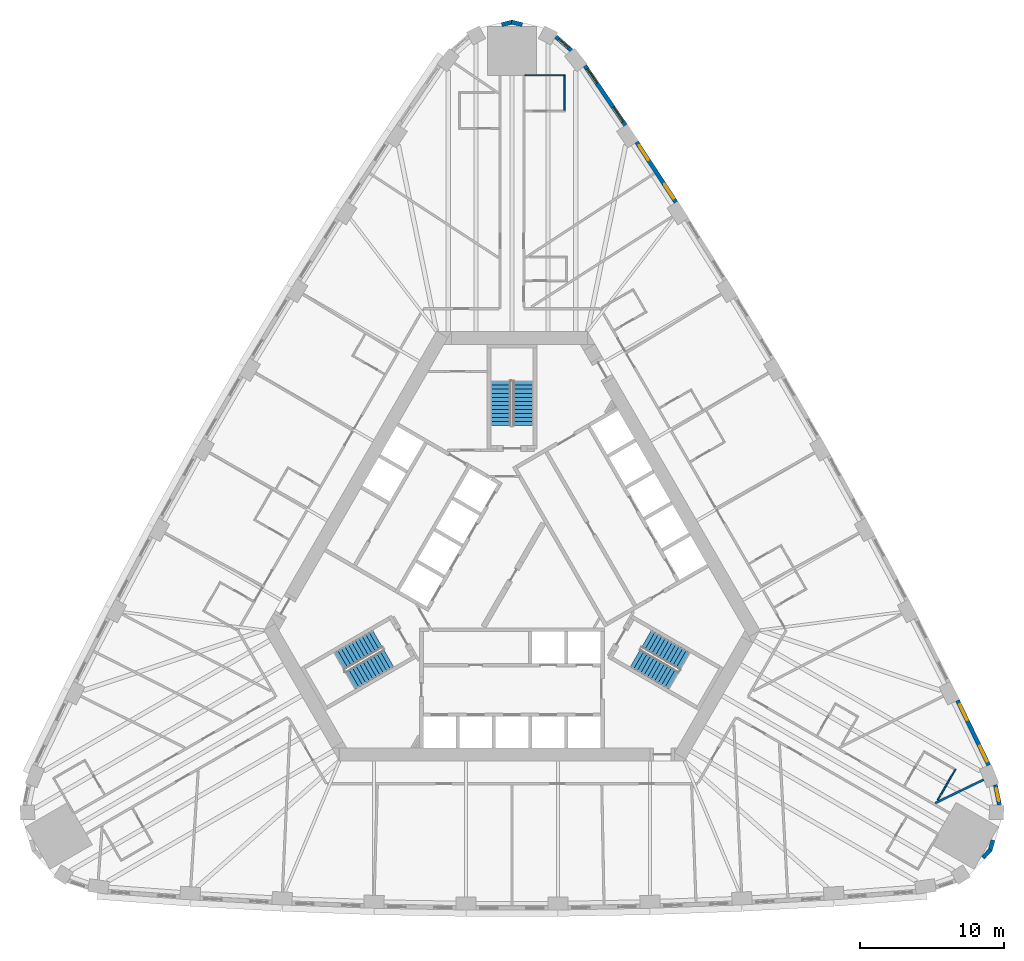
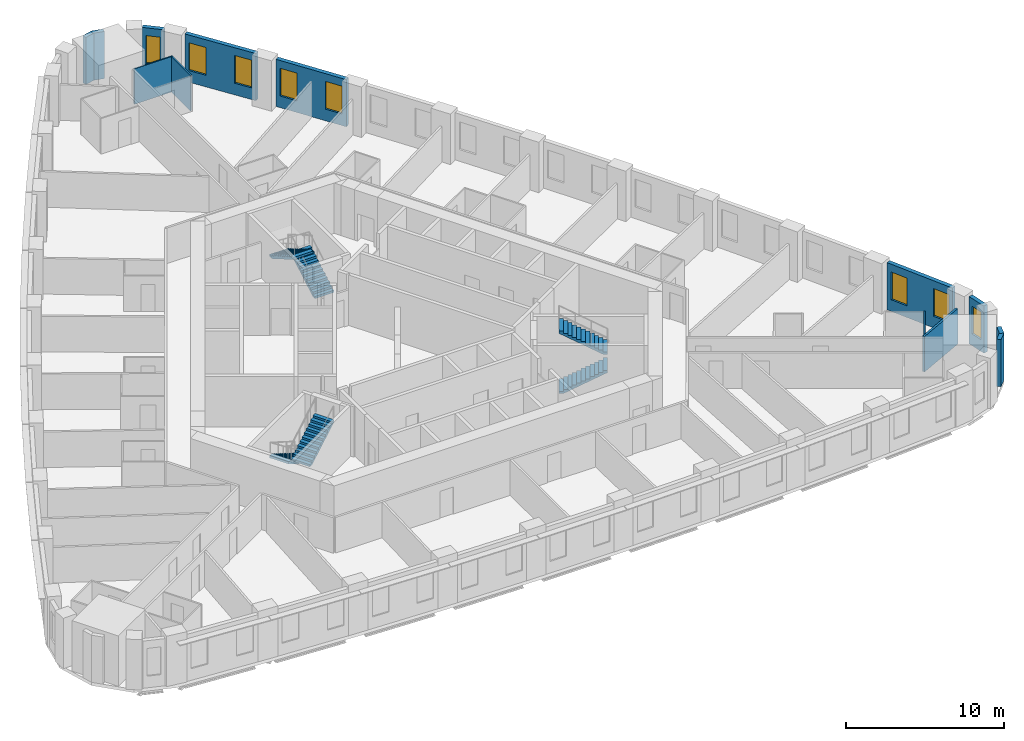
# One storey, part 11 of 12: 13 walls, 8 windows, 6 stair flights, 8 openings, 3 elements without a shape of their own.
"""IFC4 building model written with IfcOpenShell, lengths in metres."""

from ifc_helpers import new_model, si_unit, direction, frame, frame_2d, origin, place, context, subcontext, project, spatial, polyline, rectangle, outline, extrude, material, layer, layer_set, type_object, element, fill, aggregate, save


model = new_model("IFC4")

# Units and contexts
model_context = context("Model", 3, precision=1e-05, world=origin(), true_north=direction((0.0, 1.0)))
body_context = subcontext(model_context, "Body", "Model", "MODEL_VIEW")
ifc_project = project(units=[si_unit("LENGTHUNIT", "METRE"), si_unit("AREAUNIT", "SQUARE_METRE"), si_unit("VOLUMEUNIT", "CUBIC_METRE"), si_unit("PLANEANGLEUNIT", "RADIAN"), si_unit("MASSUNIT", "GRAM", prefix="KILO")], contexts=[model_context])

# Site, building, storey
site_placement = place(None, origin())
site = spatial("IfcSite", under=ifc_project, at=site_placement, CompositionType="ELEMENT")
building_placement = place(site_placement, origin())
building = spatial("IfcBuilding", under=site, at=building_placement, Name="Mestral Congress Tower", CompositionType="ELEMENT")
storey_placement = place(building_placement, frame((0.0, 0.0, 39.300048828125)))
storey = spatial("IfcBuildingStorey", under=building, at=storey_placement, Name="L08", CompositionType="ELEMENT", Elevation=39.300048828125)

# Walls
ifc_material_1 = material(Name="Precast concrete C40/50 with limestone facing", Category="masonry")
ifc_layer_1 = layer(ifc_material_1, 0.2900390625)
ifc_layer_set_1 = layer_set([ifc_layer_1], Name="Precast concrete C40/50 with limestone facing")
wall_type_1 = type_object("IfcWallType", Name="Facade stone wall 290", PredefinedType="SOLIDWALL", material=ifc_layer_set_1)
for number, where, z_axis, x_axis, name in (
    (1, (32.762451171875, -19.732177734375, 0.0), (0.0, 0.0, 1.0), (0.692252359589, 0.721655506903, 0.0), "Facade wall K0-1"),
    (2, (33.256591796875, -19.24072265625, 0.0), (0.0, 0.0, 1.0), (0.278981320915, 0.960296528464, 0.0), "Facade wall K0-2"),
):
    element("IfcWall", number, at=place(storey_placement, frame(where, z_axis=z_axis, x_axis=x_axis)), inside=storey, type_object=wall_type_1, Name=name, PredefinedType="SOLIDWALL", context=body_context, shape_type="SweptSolid", body=[
        extrude(rectangle(XDim=0.763916015625, YDim=0.2900390625, at=frame_2d((0.3818359375, 0.0))), origin(), (0.0, 0.0, 1.0), 3.64990234375),
    ])

# Wall, opening, window
wall_1_placement = place(storey_placement, frame((33.91748046875, -16.043701171875, 0.0), z_axis=(0.0, 0.0, 1.0), x_axis=(-0.198106888228, 0.980180422594, 0.0)))
wall_1 = element("IfcWall", 3, at=wall_1_placement, inside=storey, type_object=wall_type_1, Name="Facade wall K0-3", PredefinedType="SOLIDWALL", context=body_context, shape_type="SweptSolid", body=[
    extrude(rectangle(XDim=1.414794921875, YDim=0.2900390625, at=frame_2d((0.70751953125, 0.0))), origin(), (0.0, 0.0, 1.0), 3.64990234375),
])
opening_1_placement = place(wall_1_placement, frame((0.25732421875, 0.0, 0.89990234375)))
opening_1 = element("IfcOpeningElement", 4, at=opening_1_placement, cuts=wall_1, Name="Opening W3", PredefinedType="OPENING", context=body_context, shape_type="SweptSolid", body=[
    extrude(rectangle(XDim=0.89990234375, YDim=2.14990234375, at=frame_2d((0.449951171875, 1.074951171875))), frame((0.0, 0.155029296875, 0.0), z_axis=(0.0, -1.0, 0.0), x_axis=(1.0, 0.0, 0.0)), (0.0, 0.0, 1.0), 0.31005859375),
])
ifc_material_2 = material(Name="Clear low-emissivity double glazing", Category="glass")
window_type_1 = type_object("IfcWindowType", Name="Facade punched window 900 x 2150 sill 900", PartitioningType="SINGLE_PANEL", PredefinedType="WINDOW", material=ifc_material_2)
window_1_placement = place(opening_1_placement, origin())
window_1 = element("IfcWindow", 5, at=window_1_placement, inside=storey, type_object=window_type_1, Name="Window K0-3", OverallHeight=2.14990234375, OverallWidth=0.89990234375, PartitioningType="SINGLE_PANEL", PredefinedType="WINDOW", context=body_context, shape_type="SweptSolid", body=[
    extrude(rectangle(XDim=0.89990234375, YDim=2.14990234375, at=frame_2d((0.449951171875, 1.074951171875))), frame((0.0, 0.01513671875, 0.0), z_axis=(0.0, -1.0, 0.0), x_axis=(1.0, 0.0, 0.0)), (0.0, 0.0, 1.0), 0.06005859375),
])
fill(opening_1, window_1)

# Wall, openings, windows
wall_2_placement = place(storey_placement, frame((33.176025390625, -13.290283203125, 0.0), z_axis=(0.0, 0.0, 1.0), x_axis=(-0.434664499056, 0.900592456808, 0.0)))
wall_2 = element("IfcWall", 6, at=wall_2_placement, inside=storey, type_object=wall_type_1, Name="Facade wall F1-00", PredefinedType="SOLIDWALL", context=body_context, shape_type="SweptSolid", body=[
    extrude(rectangle(XDim=5.005615234375, YDim=0.2900390625, at=frame_2d((2.5029296875, 0.0))), origin(), (0.0, 0.0, 1.0), 3.64990234375),
])
opening_2_placement = place(wall_2_placement, frame((0.265380859375, 0.0, 0.89990234375)))
opening_2 = element("IfcOpeningElement", 7, at=opening_2_placement, cuts=wall_2, Name="Opening W1", PredefinedType="OPENING", context=body_context, shape_type="SweptSolid", body=[
    extrude(rectangle(XDim=1.199951171875, YDim=2.14990234375, at=frame_2d((0.60009765625, 1.074951171875))), frame((0.0, 0.155029296875, 0.0), z_axis=(0.0, -1.0, 0.0), x_axis=(1.0, 0.0, 0.0)), (0.0, 0.0, 1.0), 0.31005859375),
])
opening_3_placement = place(wall_2_placement, frame((3.49560546875, 0.0, 0.89990234375)))
opening_3 = element("IfcOpeningElement", 8, at=opening_3_placement, cuts=wall_2, Name="Opening W1", PredefinedType="OPENING", context=body_context, shape_type="SweptSolid", body=[
    extrude(rectangle(XDim=1.199951171875, YDim=2.14990234375, at=frame_2d((0.60009765625, 1.074951171875))), frame((0.0, 0.155029296875, 0.0), z_axis=(0.0, -1.0, 0.0), x_axis=(1.0, 0.0, 0.0)), (0.0, 0.0, 1.0), 0.31005859375),
])
window_type_2 = type_object("IfcWindowType", Name="Facade punched window 1200 x 2150 sill 900", PartitioningType="DOUBLE_PANEL_VERTICAL", PredefinedType="WINDOW", material=ifc_material_2)
window_2_placement = place(opening_2_placement, origin())
window_2 = element("IfcWindow", 9, at=window_2_placement, inside=storey, type_object=window_type_2, Name="Window F1-00a", OverallHeight=2.14990234375, OverallWidth=1.199951171875, PartitioningType="DOUBLE_PANEL_VERTICAL", PredefinedType="WINDOW", context=body_context, shape_type="SweptSolid", body=[
    extrude(rectangle(XDim=1.199951171875, YDim=2.14990234375, at=frame_2d((0.60009765625, 1.074951171875))), frame((0.0, 0.01513671875, 0.0), z_axis=(0.0, -1.0, 0.0), x_axis=(1.0, 0.0, 0.0)), (0.0, 0.0, 1.0), 0.06005859375),
])
fill(opening_2, window_2)
window_3_placement = place(opening_3_placement, origin())
window_3 = element("IfcWindow", 10, at=window_3_placement, inside=storey, type_object=window_type_2, Name="Window F1-00b", OverallHeight=2.14990234375, OverallWidth=1.199951171875, PartitioningType="DOUBLE_PANEL_VERTICAL", PredefinedType="WINDOW", context=body_context, shape_type="SweptSolid", body=[
    extrude(rectangle(XDim=1.199951171875, YDim=2.14990234375, at=frame_2d((0.60009765625, 1.074951171875))), frame((0.0, 0.01513671875, 0.0), z_axis=(0.0, -1.0, 0.0), x_axis=(1.0, 0.0, 0.0)), (0.0, 0.0, 1.0), 0.06005859375),
])
fill(opening_3, window_3)

wall_3_placement = place(storey_placement, frame((11.41064453125, 25.884033203125, 0.0), z_axis=(0.0, 0.0, 1.0), x_axis=(-0.547204617628, 0.836998868845, 0.0)))
wall_3 = element("IfcWall", 11, at=wall_3_placement, inside=storey, type_object=wall_type_1, Name="Facade wall F1-07", PredefinedType="SOLIDWALL", context=body_context, shape_type="SweptSolid", body=[
    extrude(rectangle(XDim=4.998291015625, YDim=0.2900390625, at=frame_2d((2.4990234375, 0.0))), origin(), (0.0, 0.0, 1.0), 3.64990234375),
])
opening_4_placement = place(wall_3_placement, frame((0.297119140625, 0.0, 0.89990234375)))
opening_4 = element("IfcOpeningElement", 12, at=opening_4_placement, cuts=wall_3, Name="Opening W1", PredefinedType="OPENING", context=body_context, shape_type="SweptSolid", body=[
    extrude(rectangle(XDim=1.199951171875, YDim=2.14990234375, at=frame_2d((0.60009765625, 1.074951171875))), frame((0.0, 0.155029296875, 0.0), z_axis=(0.0, -1.0, 0.0), x_axis=(1.0, 0.0, 0.0)), (0.0, 0.0, 1.0), 0.31005859375),
])
opening_5_placement = place(wall_3_placement, frame((3.501220703125, 0.0, 0.89990234375)))
opening_5 = element("IfcOpeningElement", 13, at=opening_5_placement, cuts=wall_3, Name="Opening W1", PredefinedType="OPENING", context=body_context, shape_type="SweptSolid", body=[
    extrude(rectangle(XDim=1.199951171875, YDim=2.14990234375, at=frame_2d((0.60009765625, 1.074951171875))), frame((0.0, 0.155029296875, 0.0), z_axis=(0.0, -1.0, 0.0), x_axis=(1.0, 0.0, 0.0)), (0.0, 0.0, 1.0), 0.31005859375),
])
window_4_placement = place(opening_4_placement, origin())
window_4 = element("IfcWindow", 14, at=window_4_placement, inside=storey, type_object=window_type_2, Name="Window F1-07a", OverallHeight=2.14990234375, OverallWidth=1.199951171875, PartitioningType="DOUBLE_PANEL_VERTICAL", PredefinedType="WINDOW", context=body_context, shape_type="SweptSolid", body=[
    extrude(rectangle(XDim=1.199951171875, YDim=2.14990234375, at=frame_2d((0.60009765625, 1.074951171875))), frame((0.0, 0.01513671875, 0.0), z_axis=(0.0, -1.0, 0.0), x_axis=(1.0, 0.0, 0.0)), (0.0, 0.0, 1.0), 0.06005859375),
])
fill(opening_4, window_4)
window_5_placement = place(opening_5_placement, origin())
window_5 = element("IfcWindow", 15, at=window_5_placement, inside=storey, type_object=window_type_2, Name="Window F1-07b", OverallHeight=2.14990234375, OverallWidth=1.199951171875, PartitioningType="DOUBLE_PANEL_VERTICAL", PredefinedType="WINDOW", context=body_context, shape_type="SweptSolid", body=[
    extrude(rectangle(XDim=1.199951171875, YDim=2.14990234375, at=frame_2d((0.60009765625, 1.074951171875))), frame((0.0, 0.01513671875, 0.0), z_axis=(0.0, -1.0, 0.0), x_axis=(1.0, 0.0, 0.0)), (0.0, 0.0, 1.0), 0.06005859375),
])
fill(opening_5, window_5)

wall_4_placement = place(storey_placement, frame((7.89453125, 31.23828125, 0.0), z_axis=(0.0, 0.0, 1.0), x_axis=(-0.562610153679, 0.826722332454, 0.0)))
wall_4 = element("IfcWall", 16, at=wall_4_placement, inside=storey, type_object=wall_type_1, Name="Facade wall F1-08", PredefinedType="SOLIDWALL", context=body_context, shape_type="SweptSolid", body=[
    extrude(rectangle(XDim=5.005615234375, YDim=0.2900390625, at=frame_2d((2.5029296875, 0.0))), origin(), (0.0, 0.0, 1.0), 3.64990234375),
])
opening_6_placement = place(wall_4_placement, frame((0.310302734375, 0.0, 0.89990234375)))
opening_6 = element("IfcOpeningElement", 17, at=opening_6_placement, cuts=wall_4, Name="Opening W1", PredefinedType="OPENING", context=body_context, shape_type="SweptSolid", body=[
    extrude(rectangle(XDim=1.199951171875, YDim=2.14990234375, at=frame_2d((0.60009765625, 1.074951171875))), frame((0.0, 0.155029296875, 0.0), z_axis=(0.0, -1.0, 0.0), x_axis=(1.0, 0.0, 0.0)), (0.0, 0.0, 1.0), 0.31005859375),
])
opening_7_placement = place(wall_4_placement, frame((3.54052734375, 0.0, 0.89990234375)))
opening_7 = element("IfcOpeningElement", 18, at=opening_7_placement, cuts=wall_4, Name="Opening W1", PredefinedType="OPENING", context=body_context, shape_type="SweptSolid", body=[
    extrude(rectangle(XDim=1.199951171875, YDim=2.14990234375, at=frame_2d((0.60009765625, 1.074951171875))), frame((0.0, 0.155029296875, 0.0), z_axis=(0.0, -1.0, 0.0), x_axis=(1.0, 0.0, 0.0)), (0.0, 0.0, 1.0), 0.31005859375),
])
window_6_placement = place(opening_6_placement, origin())
window_6 = element("IfcWindow", 19, at=window_6_placement, inside=storey, type_object=window_type_2, Name="Window F1-08a", OverallHeight=2.14990234375, OverallWidth=1.199951171875, PartitioningType="DOUBLE_PANEL_VERTICAL", PredefinedType="WINDOW", context=body_context, shape_type="SweptSolid", body=[
    extrude(rectangle(XDim=1.199951171875, YDim=2.14990234375, at=frame_2d((0.60009765625, 1.074951171875))), frame((0.0, 0.01513671875, 0.0), z_axis=(0.0, -1.0, 0.0), x_axis=(1.0, 0.0, 0.0)), (0.0, 0.0, 1.0), 0.06005859375),
])
fill(opening_6, window_6)
window_7_placement = place(opening_7_placement, origin())
window_7 = element("IfcWindow", 20, at=window_7_placement, inside=storey, type_object=window_type_2, Name="Window F1-08b", OverallHeight=2.14990234375, OverallWidth=1.199951171875, PartitioningType="DOUBLE_PANEL_VERTICAL", PredefinedType="WINDOW", context=body_context, shape_type="SweptSolid", body=[
    extrude(rectangle(XDim=1.199951171875, YDim=2.14990234375, at=frame_2d((0.60009765625, 1.074951171875))), frame((0.0, 0.01513671875, 0.0), z_axis=(0.0, -1.0, 0.0), x_axis=(1.0, 0.0, 0.0)), (0.0, 0.0, 1.0), 0.06005859375),
])
fill(opening_7, window_7)

# Wall, opening, window
wall_5_placement = place(storey_placement, frame((4.12548828125, 36.458984375, 0.0), z_axis=(0.0, 0.0, 1.0), x_axis=(-0.749812680302, 0.661650167731, 0.0)))
wall_5 = element("IfcWall", 21, at=wall_5_placement, inside=storey, type_object=wall_type_1, Name="Facade wall K1-0", PredefinedType="SOLIDWALL", context=body_context, shape_type="SweptSolid", body=[
    extrude(rectangle(XDim=1.4150390625, YDim=0.2900390625, at=frame_2d((0.70751953125, 0.0))), origin(), (0.0, 0.0, 1.0), 3.64990234375),
])
opening_8_placement = place(wall_5_placement, frame((0.257568359375, 0.0, 0.89990234375)))
opening_8 = element("IfcOpeningElement", 22, at=opening_8_placement, cuts=wall_5, Name="Opening W3", PredefinedType="OPENING", context=body_context, shape_type="SweptSolid", body=[
    extrude(rectangle(XDim=0.89990234375, YDim=2.14990234375, at=frame_2d((0.449951171875, 1.074951171875))), frame((0.0, 0.155029296875, 0.0), z_axis=(0.0, -1.0, 0.0), x_axis=(1.0, 0.0, 0.0)), (0.0, 0.0, 1.0), 0.31005859375),
])
window_8_placement = place(opening_8_placement, origin())
window_8 = element("IfcWindow", 23, at=window_8_placement, inside=storey, type_object=window_type_1, Name="Window K1-0", OverallHeight=2.14990234375, OverallWidth=0.89990234375, PartitioningType="SINGLE_PANEL", PredefinedType="WINDOW", context=body_context, shape_type="SweptSolid", body=[
    extrude(rectangle(XDim=0.89990234375, YDim=2.14990234375, at=frame_2d((0.449951171875, 1.074951171875))), frame((0.0, 0.01513671875, 0.0), z_axis=(0.0, -1.0, 0.0), x_axis=(1.0, 0.0, 0.0)), (0.0, 0.0, 1.0), 0.06005859375),
])
fill(opening_8, window_8)

# Walls
for number, where, z_axis, x_axis, name in (
    (24, (0.707275390625, 38.2392578125, 0.0), (0.0, 0.0, 1.0), (-0.971167582305, 0.238397833629, 0.0), "Facade wall K1-1"),
    (25, (0.03466796875, 38.42138671875, 0.0), (0.0, 0.0, 1.0), (-0.971167582305, -0.238397833629, 0.0), "Facade wall K1-2"),
):
    element("IfcWall", number, at=place(storey_placement, frame(where, z_axis=z_axis, x_axis=x_axis)), inside=storey, type_object=wall_type_1, Name=name, PredefinedType="SOLIDWALL", context=body_context, shape_type="SweptSolid", body=[
        extrude(rectangle(XDim=0.763916015625, YDim=0.2900390625, at=frame_2d((0.3818359375, 0.0))), origin(), (0.0, 0.0, 1.0), 3.64990234375),
    ])
ifc_material_3 = material(Name="Gypsum board partition on metal studs with mineral wool", Category="composite")
ifc_layer_2 = layer(ifc_material_3, 0.10009765625)
ifc_layer_set_2 = layer_set([ifc_layer_2], Name="Gypsum board partition on metal studs with mineral wool")
wall_type_2 = type_object("IfcWallType", Name="Hotel partition wall 100", PredefinedType="PARTITIONING", material=ifc_layer_set_2)
wall_6_placement = place(storey_placement, frame((29.619384765625, -15.715087890625, 0.0), z_axis=(0.0, 0.0, 1.0), x_axis=(0.500004234368, 0.866022959057, 0.0)))
element("IfcWall", 26, at=wall_6_placement, inside=storey, type_object=wall_type_2, Name="L08-h-pod10c", PredefinedType="PARTITIONING", context=body_context, shape_type="SweptSolid", body=[
    extrude(rectangle(XDim=2.5, YDim=0.10009765625, at=frame_2d((1.25, 0.0))), origin(), (0.0, 0.0, 1.0), 2.75),
])
wall_7_placement = place(storey_placement, frame((3.64990234375, 32.268798828125, 0.0), z_axis=(0.0, 0.0, 1.0), x_axis=(0.0, 1.0, 0.0)))
element("IfcWall", 27, at=wall_7_placement, inside=storey, type_object=wall_type_2, Name="L08-h-pod18b", PredefinedType="PARTITIONING", context=body_context, shape_type="SweptSolid", body=[
    extrude(rectangle(XDim=2.400146484375, YDim=0.10009765625, at=frame_2d((1.2001953125, 0.0))), origin(), (0.0, 0.0, 1.0), 2.75),
])
wall_8_placement = place(storey_placement, frame((0.89990234375, 34.718994140625, 0.0), z_axis=(0.0, 0.0, 1.0), x_axis=(1.0, 0.0, 0.0)))
element("IfcWall", 28, at=wall_8_placement, inside=storey, type_object=wall_type_2, Name="L08-h-pod18c", PredefinedType="PARTITIONING", context=body_context, shape_type="SweptSolid", body=[
    extrude(rectangle(XDim=2.800048828125, YDim=0.10009765625, at=frame_2d((1.39990234375, 0.0))), origin(), (0.0, 0.0, 1.0), 2.75),
])
ifc_layer_3 = layer(ifc_material_3, 0.14990234375)
ifc_layer_set_3 = layer_set([ifc_layer_3], Name="Gypsum board partition on metal studs with mineral wool")
wall_type_3 = type_object("IfcWallType", Name="Hotel partition wall 150", PredefinedType="PARTITIONING", material=ifc_layer_set_3)
wall_9_placement = place(storey_placement, frame((32.8173828125, -14.29638671875, 0.0), z_axis=(0.0, 0.0, 1.0), x_axis=(-0.900616957918, -0.434613730927, 0.0)))
element("IfcWall", 29, at=wall_9_placement, inside=storey, type_object=wall_type_3, Name="L08-h-pw27", PredefinedType="PARTITIONING", context=body_context, shape_type="SweptSolid", body=[
    extrude(rectangle(XDim=3.7333984375, YDim=0.14990234375, at=frame_2d((1.86669921875, 0.0))), origin(), (0.0, 0.0, 1.0), 2.75),
])

# Stair, stair flights
ifc_material_4 = material(Name="Concrete C60/75", Category="concrete")
stair_type = type_object("IfcStairType", Name="Exit stair 1400", PredefinedType="HALF_TURN_STAIR", material=ifc_material_4)
placement = place(storey_placement, origin())
stair_1 = element("IfcStair", 30, at=placement, inside=storey, type_object=stair_type, Name="L08 ST1", PredefinedType="HALF_TURN_STAIR")
stair_flight_type = type_object("IfcStairFlightType", Name="Exit stair flight 1400", PredefinedType="STRAIGHT", material=ifc_material_4)
stair_flight_1_placement = place(storey_placement, frame((8.575927734375, -5.84619140625, 0.0), z_axis=(0.0, 0.0, 1.0), x_axis=(0.866025403784, -0.5, 0.0)))
stair_flight_1 = element("IfcStairFlight", 31, at=stair_flight_1_placement, type_object=stair_flight_type, Name="ST1 flight 1", NumberOfRisers=12, NumberOfTreads=11, PredefinedType="STRAIGHT", RiserHeight=0.1625, TreadLength=0.28, context=body_context, shape_type="SweptSolid", body=[
    extrude(outline(polyline([(0.0, 0.0), (0.0, 0.16259765625), (0.280029296875, 0.16259765625), (0.280029296875, 0.324951171875), (0.56005859375, 0.324951171875), (0.56005859375, 0.487548828125), (0.840087890625, 0.487548828125), (0.840087890625, 0.64990234375), (1.1201171875, 0.64990234375), (1.1201171875, 0.8125), (1.39990234375, 0.8125), (1.39990234375, 0.97509765625), (1.679931640625, 0.97509765625), (1.679931640625, 1.137451171875), (1.9599609375, 1.137451171875), (1.9599609375, 1.300048828125), (2.239990234375, 1.300048828125), (2.239990234375, 1.46240234375), (2.52001953125, 1.46240234375), (2.52001953125, 1.625), (2.800048828125, 1.625), (2.800048828125, 1.78759765625), (3.080078125, 1.78759765625), (3.080078125, 1.949951171875), (3.080078125, 1.6142578125), (0.298583984375, 0.0), (0.0, 0.0)])), frame((0.0, 0.699951171875, 0.0), z_axis=(0.0, -1.0, 0.0), x_axis=(1.0, 0.0, 0.0)), (0.0, 0.0, 1.0), 1.39990234375),
])
stair_flight_2_placement = place(storey_placement, frame((12.018310546875, -6.0439453125, 1.949951171875), z_axis=(0.0, 0.0, 1.0), x_axis=(-0.866025403784, 0.5, 0.0)))
stair_flight_2 = element("IfcStairFlight", 32, at=stair_flight_2_placement, type_object=stair_flight_type, Name="ST1 flight 2", NumberOfRisers=12, NumberOfTreads=11, PredefinedType="STRAIGHT", RiserHeight=0.1625, TreadLength=0.28, context=body_context, shape_type="SweptSolid", body=[
    extrude(outline(polyline([(0.0, 0.0), (0.0, 0.16259765625), (0.280029296875, 0.16259765625), (0.280029296875, 0.324951171875), (0.56005859375, 0.324951171875), (0.56005859375, 0.487548828125), (0.840087890625, 0.487548828125), (0.840087890625, 0.64990234375), (1.1201171875, 0.64990234375), (1.1201171875, 0.8125), (1.39990234375, 0.8125), (1.39990234375, 0.97509765625), (1.679931640625, 0.97509765625), (1.679931640625, 1.137451171875), (1.9599609375, 1.137451171875), (1.9599609375, 1.300048828125), (2.239990234375, 1.300048828125), (2.239990234375, 1.46240234375), (2.52001953125, 1.46240234375), (2.52001953125, 1.625), (2.800048828125, 1.625), (2.800048828125, 1.78759765625), (3.080078125, 1.78759765625), (3.080078125, 1.949951171875), (3.080078125, 1.6142578125), (0.298583984375, 0.0), (0.0, 0.0)])), frame((0.0, 0.699951171875, 0.0), z_axis=(0.0, -1.0, 0.0), x_axis=(1.0, 0.0, 0.0)), (0.0, 0.0, 1.0), 1.39990234375),
])
aggregate(stair_1, [stair_flight_1, stair_flight_2])

stair_2 = element("IfcStair", 33, at=placement, inside=storey, type_object=stair_type, Name="L08 ST2", PredefinedType="HALF_TURN_STAIR")
stair_flight_3_placement = place(storey_placement, frame((0.77490234375, 10.35009765625, 0.0), z_axis=(0.0, 0.0, 1.0), x_axis=(0.0, 1.0, 0.0)))
stair_flight_3 = element("IfcStairFlight", 34, at=stair_flight_3_placement, type_object=stair_flight_type, Name="ST2 flight 1", NumberOfRisers=12, NumberOfTreads=11, PredefinedType="STRAIGHT", RiserHeight=0.1625, TreadLength=0.28, context=body_context, shape_type="SweptSolid", body=[
    extrude(outline(polyline([(0.0, 0.0), (0.0, 0.16259765625), (0.280029296875, 0.16259765625), (0.280029296875, 0.324951171875), (0.56005859375, 0.324951171875), (0.56005859375, 0.487548828125), (0.840087890625, 0.487548828125), (0.840087890625, 0.64990234375), (1.1201171875, 0.64990234375), (1.1201171875, 0.8125), (1.39990234375, 0.8125), (1.39990234375, 0.97509765625), (1.679931640625, 0.97509765625), (1.679931640625, 1.137451171875), (1.9599609375, 1.137451171875), (1.9599609375, 1.300048828125), (2.239990234375, 1.300048828125), (2.239990234375, 1.46240234375), (2.52001953125, 1.46240234375), (2.52001953125, 1.625), (2.800048828125, 1.625), (2.800048828125, 1.78759765625), (3.080078125, 1.78759765625), (3.080078125, 1.949951171875), (3.080078125, 1.6142578125), (0.298583984375, 0.0), (0.0, 0.0)])), frame((0.0, 0.699951171875, 0.0), z_axis=(0.0, -1.0, 0.0), x_axis=(1.0, 0.0, 0.0)), (0.0, 0.0, 1.0), 1.39990234375),
])
stair_flight_4_placement = place(storey_placement, frame((-0.77490234375, 13.429931640625, 1.949951171875), z_axis=(0.0, 0.0, 1.0), x_axis=(0.0, -1.0, 0.0)))
stair_flight_4 = element("IfcStairFlight", 35, at=stair_flight_4_placement, type_object=stair_flight_type, Name="ST2 flight 2", NumberOfRisers=12, NumberOfTreads=11, PredefinedType="STRAIGHT", RiserHeight=0.1625, TreadLength=0.28, context=body_context, shape_type="SweptSolid", body=[
    extrude(outline(polyline([(0.0, 0.0), (0.0, 0.16259765625), (0.280029296875, 0.16259765625), (0.280029296875, 0.324951171875), (0.56005859375, 0.324951171875), (0.56005859375, 0.487548828125), (0.840087890625, 0.487548828125), (0.840087890625, 0.64990234375), (1.1201171875, 0.64990234375), (1.1201171875, 0.8125), (1.39990234375, 0.8125), (1.39990234375, 0.97509765625), (1.679931640625, 0.97509765625), (1.679931640625, 1.137451171875), (1.9599609375, 1.137451171875), (1.9599609375, 1.300048828125), (2.239990234375, 1.300048828125), (2.239990234375, 1.46240234375), (2.52001953125, 1.46240234375), (2.52001953125, 1.625), (2.800048828125, 1.625), (2.800048828125, 1.78759765625), (3.080078125, 1.78759765625), (3.080078125, 1.949951171875), (3.080078125, 1.6142578125), (0.298583984375, 0.0), (0.0, 0.0)])), frame((0.0, 0.699951171875, 0.0), z_axis=(0.0, -1.0, 0.0), x_axis=(1.0, 0.0, 0.0)), (0.0, 0.0, 1.0), 1.39990234375),
])
aggregate(stair_2, [stair_flight_3, stair_flight_4])

stair_3 = element("IfcStair", 36, at=placement, inside=storey, type_object=stair_type, Name="L08 ST3", PredefinedType="HALF_TURN_STAIR")
stair_flight_5_placement = place(storey_placement, frame((-9.350830078125, -4.50390625, 0.0), z_axis=(0.0, 0.0, 1.0), x_axis=(-0.866025403784, -0.5, 0.0)))
stair_flight_5 = element("IfcStairFlight", 37, at=stair_flight_5_placement, type_object=stair_flight_type, Name="ST3 flight 1", NumberOfRisers=12, NumberOfTreads=11, PredefinedType="STRAIGHT", RiserHeight=0.1625, TreadLength=0.28, context=body_context, shape_type="SweptSolid", body=[
    extrude(outline(polyline([(0.0, 0.0), (0.0, 0.16259765625), (0.280029296875, 0.16259765625), (0.280029296875, 0.324951171875), (0.56005859375, 0.324951171875), (0.56005859375, 0.487548828125), (0.840087890625, 0.487548828125), (0.840087890625, 0.64990234375), (1.1201171875, 0.64990234375), (1.1201171875, 0.8125), (1.39990234375, 0.8125), (1.39990234375, 0.97509765625), (1.679931640625, 0.97509765625), (1.679931640625, 1.137451171875), (1.9599609375, 1.137451171875), (1.9599609375, 1.300048828125), (2.239990234375, 1.300048828125), (2.239990234375, 1.46240234375), (2.52001953125, 1.46240234375), (2.52001953125, 1.625), (2.800048828125, 1.625), (2.800048828125, 1.78759765625), (3.080078125, 1.78759765625), (3.080078125, 1.949951171875), (3.080078125, 1.6142578125), (0.298583984375, 0.0), (0.0, 0.0)])), frame((0.0, 0.699951171875, 0.0), z_axis=(0.0, -1.0, 0.0), x_axis=(1.0, 0.0, 0.0)), (0.0, 0.0, 1.0), 1.39990234375),
])
stair_flight_6_placement = place(storey_placement, frame((-11.2431640625, -7.38623046875, 1.949951171875), z_axis=(0.0, 0.0, 1.0), x_axis=(0.866025403784, 0.5, 0.0)))
stair_flight_6 = element("IfcStairFlight", 38, at=stair_flight_6_placement, type_object=stair_flight_type, Name="ST3 flight 2", NumberOfRisers=12, NumberOfTreads=11, PredefinedType="STRAIGHT", RiserHeight=0.1625, TreadLength=0.28, context=body_context, shape_type="SweptSolid", body=[
    extrude(outline(polyline([(0.0, 0.0), (0.0, 0.16259765625), (0.280029296875, 0.16259765625), (0.280029296875, 0.324951171875), (0.56005859375, 0.324951171875), (0.56005859375, 0.487548828125), (0.840087890625, 0.487548828125), (0.840087890625, 0.64990234375), (1.1201171875, 0.64990234375), (1.1201171875, 0.8125), (1.39990234375, 0.8125), (1.39990234375, 0.97509765625), (1.679931640625, 0.97509765625), (1.679931640625, 1.137451171875), (1.9599609375, 1.137451171875), (1.9599609375, 1.300048828125), (2.239990234375, 1.300048828125), (2.239990234375, 1.46240234375), (2.52001953125, 1.46240234375), (2.52001953125, 1.625), (2.800048828125, 1.625), (2.800048828125, 1.78759765625), (3.080078125, 1.78759765625), (3.080078125, 1.949951171875), (3.080078125, 1.6142578125), (0.298583984375, 0.0), (0.0, 0.0)])), frame((0.0, 0.699951171875, 0.0), z_axis=(0.0, -1.0, 0.0), x_axis=(1.0, 0.0, 0.0)), (0.0, 0.0, 1.0), 1.39990234375),
])
aggregate(stair_3, [stair_flight_5, stair_flight_6])

save(model, "model.ifc")
